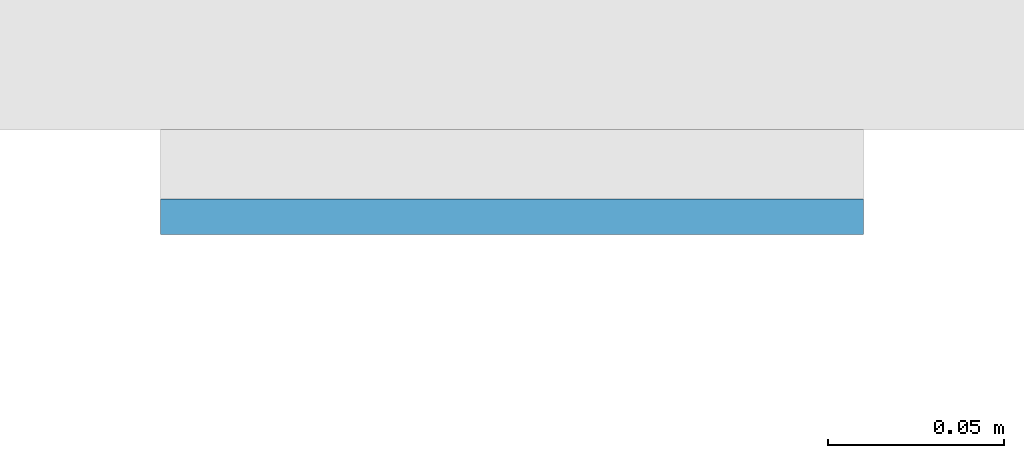
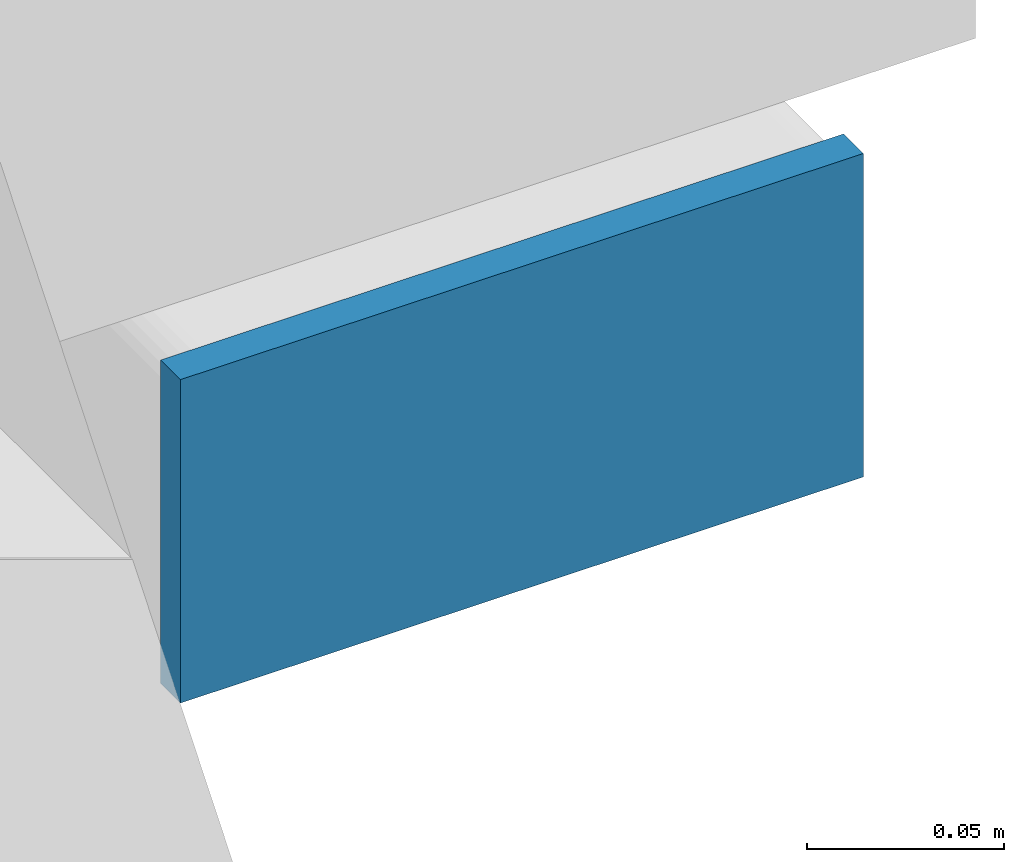
# One storey, part 10 of 20: 1 plate.
"""IFC4 building model written with IfcOpenShell, lengths in metres."""

import ifcopenshell
import ifcopenshell.guid

model = None  # the IFC model being written
_history = None  # IfcOwnerHistory: only IFC2X3 demands one
_inside = {}  # id of a spatial element -> (the spatial element, [elements in it])
_under = {}  # id of a project, library or spatial element -> (it, [spatial elements below it])
_declared = {}  # id of a project -> (the project, [libraries it declares])
_typed = {}  # id of a type object -> (the type object, [elements of that type])
_made_of = {}  # id of a material, layer set ... -> (it, [elements and type objects made of it])


def new_model(schema):
    """Start an empty IFC model of exactly this schema.

    Asked for "IFC4X3", IfcOpenShell would pick the latest addendum, in which some entities
    have other attributes; the version numbers below select the first issue.
    IFC2X3 requires an IfcOwnerHistory on every rooted entity: one is made here for all.
    """
    global model, _history
    if schema == "IFC4X3":
        model = ifcopenshell.file(schema_version=(4, 3, 0, 0))
    else:
        model = ifcopenshell.file(schema=schema)
    _inside.clear()
    _under.clear()
    _declared.clear()
    _typed.clear()
    _made_of.clear()
    _history = None
    if model.schema == "IFC2X3":
        org = make("IfcOrganization", Name="unknown")
        user = make(
            "IfcPersonAndOrganization",
            ThePerson=make("IfcPerson", FamilyName="unknown"),
            TheOrganization=org,
        )
        app = make(
            "IfcApplication",
            ApplicationDeveloper=org,
            Version="unknown",
            ApplicationFullName="unknown",
            ApplicationIdentifier="unknown",
        )
        _history = make(
            "IfcOwnerHistory",
            OwningUser=user,
            OwningApplication=app,
            ChangeAction="ADDED",
            CreationDate=0,
        )
    return model


def make(cls, **values):
    """One entity of the class cls with the attributes given. An attribute that is None is left unset."""
    return model.create_entity(
        cls, **{name: value for name, value in values.items() if value is not None}
    )


def rooted(cls, **values):
    """An entity with a GlobalId (a new one), such as an element, a storey or a relation."""
    return make(cls, GlobalId=ifcopenshell.guid.new(), OwnerHistory=_history, **values)


def si_unit(unit_type, name, prefix=None):
    """IfcSIUnit, for example si_unit("LENGTHUNIT", "METRE", prefix="MILLI")."""
    return make("IfcSIUnit", UnitType=unit_type, Prefix=prefix, Name=name)


def assignment(units):
    """IfcUnitAssignment: the units of a project."""
    return None if units is None else make("IfcUnitAssignment", Units=units)


def point(xyz):
    """IfcCartesianPoint."""
    return None if xyz is None else make("IfcCartesianPoint", Coordinates=xyz)


def direction(xyz):
    """IfcDirection."""
    return None if xyz is None else make("IfcDirection", DirectionRatios=xyz)


def frame(location, z_axis=None, x_axis=None):
    """IfcAxis2Placement3D, a coordinate frame: its origin and axes. An axis left out is left unset."""
    return make(
        "IfcAxis2Placement3D",
        Location=point(location),
        Axis=direction(z_axis),
        RefDirection=direction(x_axis),
    )


def frame_2d(location, x_axis=None):
    """IfcAxis2Placement2D, a coordinate frame in the plane: its origin and x axis."""
    return make(
        "IfcAxis2Placement2D", Location=point(location), RefDirection=direction(x_axis)
    )


def origin():
    """The frame at (0, 0, 0) with its axes left unset."""
    return frame((0.0, 0.0, 0.0))


def origin_2d():
    """The frame at (0, 0) in the plane with its x axis left unset."""
    return frame_2d((0.0, 0.0))


def place(relative_to, where):
    """IfcLocalPlacement: puts the frame where relative to a parent placement (None: the world)."""
    return make(
        "IfcLocalPlacement", PlacementRelTo=relative_to, RelativePlacement=where
    )


def context(
    kind, dimensions, precision=None, world=None, true_north=None, identifier=None
):
    """IfcGeometricRepresentationContext, for example the 3D "Model" context."""
    return make(
        "IfcGeometricRepresentationContext",
        ContextIdentifier=identifier,
        ContextType=kind,
        CoordinateSpaceDimension=dimensions,
        Precision=precision,
        WorldCoordinateSystem=world,
        TrueNorth=true_north,
    )


def subcontext(parent, identifier, kind, view, scale=None):
    """IfcGeometricRepresentationSubContext, for example "Body" below "Model"."""
    return make(
        "IfcGeometricRepresentationSubContext",
        ContextIdentifier=identifier,
        ContextType=kind,
        ParentContext=parent,
        TargetScale=scale,
        TargetView=view,
    )


def project(units=None, contexts=None):
    """IfcProject with its units and contexts."""
    return rooted(
        "IfcProject",
        Name="project",
        RepresentationContexts=contexts,
        UnitsInContext=assignment(units),
    )


def spatial(cls, under=None, at=None, **own):
    """A site, building, storey or space (cls), placed at a placement, below another one or the project."""
    s = rooted(cls, ObjectPlacement=at, **own)
    if under is not None:
        _under.setdefault(under.id(), (under, []))[1].append(s)
    return s


def profile(cls, at=None, kind="AREA", **sizes):
    """A parametric profile (cls). Its sizes go by their IFC names, for example OverallWidth=200.0."""
    return make(cls, ProfileType=kind, Position=at, **sizes)


def rectangle(**sizes):
    """IfcRectangleProfileDef."""
    return profile("IfcRectangleProfileDef", **sizes)


def extrude(swept, where, along, depth):
    """IfcExtrudedAreaSolid: the profile swept, set in the frame where, extruded along a direction by depth."""
    return make(
        "IfcExtrudedAreaSolid",
        SweptArea=swept,
        Position=where,
        ExtrudedDirection=direction(along),
        Depth=depth,
    )


def shape(context_of_items, identifier, shape_type, items):
    """IfcShapeRepresentation: the items that make up one representation, for example the "Body"."""
    return make(
        "IfcShapeRepresentation",
        ContextOfItems=context_of_items,
        RepresentationIdentifier=identifier,
        RepresentationType=shape_type,
        Items=items,
    )


def material(Name=None, Category=None):
    """IfcMaterial."""
    return make("IfcMaterial", Name=Name, Category=Category)


def layer(
    of_material, thickness, ventilated=None, Name=None, Category=None, Priority=None
):
    """IfcMaterialLayer: one layer of a wall or slab, of a material (None: an air gap)."""
    return make(
        "IfcMaterialLayer",
        Material=of_material,
        LayerThickness=thickness,
        IsVentilated=ventilated,
        Name=Name,
        Category=Category,
        Priority=Priority,
    )


def layer_set(layers, Name=None):
    """IfcMaterialLayerSet."""
    return make("IfcMaterialLayerSet", MaterialLayers=layers, LayerSetName=Name)


def made_of(thing, what):
    """Note that an element or type object is made of a material, layer set ...; save() writes the relation."""
    if what is not None:
        _made_of.setdefault(what.id(), (what, []))[1].append(thing)
    return thing


def type_object(cls, material=None, **own):
    """A type object (cls), such as IfcWallType, which elements share."""
    return made_of(rooted(cls, **own), material)


def element(
    cls,
    number,
    at=None,
    inside=None,
    cuts=None,
    type_object=None,
    material=None,
    context=None,
    identifier="Body",
    shape_type=None,
    held_by="IfcProductDefinitionShape",
    body=None,
    shapes=None,
    **own,
):
    """One element of the class cls, such as IfcWall. Its Tag is "e" and its number.

    at: its placement. inside: the storey or other place that contains it. cuts: it is an
    opening in that element (IfcRelVoidsElement). A single representation is given by context,
    identifier, shape_type and body (its items); several are given by shapes. held_by: the class
    of the entity that holds the representations. save() writes the other relations.
    """
    e = rooted(cls, Tag="e%d" % number, ObjectPlacement=at, **own)
    if body is not None:
        shapes = [shape(context, identifier, shape_type, body)]
    if shapes is not None:
        e.Representation = make(held_by, Representations=shapes)
    if inside is not None:
        _inside.setdefault(inside.id(), (inside, []))[1].append(e)
    if cuts is not None:
        rooted(
            "IfcRelVoidsElement", RelatingBuildingElement=cuts, RelatedOpeningElement=e
        )
    if type_object is not None:
        _typed.setdefault(type_object.id(), (type_object, []))[1].append(e)
    return made_of(e, material)


def aggregate(whole, parts):
    """IfcRelAggregates: a whole, such as a stair, and the parts it consists of."""
    return rooted("IfcRelAggregates", RelatingObject=whole, RelatedObjects=parts)


def save(model, path):
    """Write the relations noted so far, then the file.

    IfcRelAggregates (storeys below a building ...), IfcRelContainedInSpatialStructure (elements
    in a storey), IfcRelDefinesByType, IfcRelAssociatesMaterial and IfcRelDeclares: one each for
    every whole, place, type object, material and project.
    """
    for whole, parts in _under.values():
        aggregate(whole, parts)
    for where, things in _inside.values():
        rooted(
            "IfcRelContainedInSpatialStructure",
            RelatedElements=things,
            RelatingStructure=where,
        )
    for kind, things in _typed.values():
        rooted("IfcRelDefinesByType", RelatedObjects=things, RelatingType=kind)
    for what, things in _made_of.values():
        rooted("IfcRelAssociatesMaterial", RelatedObjects=things, RelatingMaterial=what)
    for by, libraries in _declared.values():
        rooted("IfcRelDeclares", RelatingContext=by, RelatedDefinitions=libraries)
    model.write(path)


model = new_model("IFC4")

# Units and contexts
model_context = context("Model", 3, precision=1e-05, world=origin(), true_north=direction((0.0, 1.0)))
body_context = subcontext(model_context, "Body", "Model", "MODEL_VIEW")
ifc_project = project(units=[si_unit("LENGTHUNIT", "METRE"), si_unit("AREAUNIT", "SQUARE_METRE"), si_unit("VOLUMEUNIT", "CUBIC_METRE"), si_unit("PLANEANGLEUNIT", "RADIAN"), si_unit("MASSUNIT", "GRAM", prefix="KILO")], contexts=[model_context])

# Site, building, storey
site_placement = place(None, origin())
site = spatial("IfcSite", under=ifc_project, at=site_placement, CompositionType="ELEMENT")
building_placement = place(site_placement, origin())
building = spatial("IfcBuilding", under=site, at=building_placement, Name="Cleftline Residences", CompositionType="ELEMENT")
storey_placement = place(building_placement, frame((0.0, 0.0, 193.0)))
storey = spatial("IfcBuildingStorey", under=building, at=storey_placement, Name="L50", CompositionType="ELEMENT", Elevation=193.0)

# Plate
ifc_material = material(Name="Steel S355, hot-dip galvanised", Category="steel")
ifc_layer = layer(ifc_material, 0.010009765625)
ifc_layer_set = layer_set([ifc_layer], Name="BAGUETTE CARRIER END PLATE 200X100X10")
plate_type = type_object("IfcPlateType", Name="BAGUETTE CARRIER END PLATE 200X100X10", PredefinedType="USERDEFINED", material=ifc_layer_set)
plate_placement = place(storey_placement, frame((66.85009765625, 3.695068359375, -0.10009765625), z_axis=(0.0, 0.0, 1.0), x_axis=(1.0, 0.0, 0.0)))
element("IfcPlate", 1, at=plate_placement, inside=storey, type_object=plate_type, Name="Baguette carrier end plate", ObjectType="BAGUETTE CARRIER END PLATE", PredefinedType="USERDEFINED", context=body_context, shape_type="SweptSolid", body=[
    extrude(rectangle(XDim=0.199951171875, YDim=0.010009765625, at=origin_2d()), origin(), (0.0, 0.0, 1.0), 0.10009765625),
])

save(model, "model.ifc")
